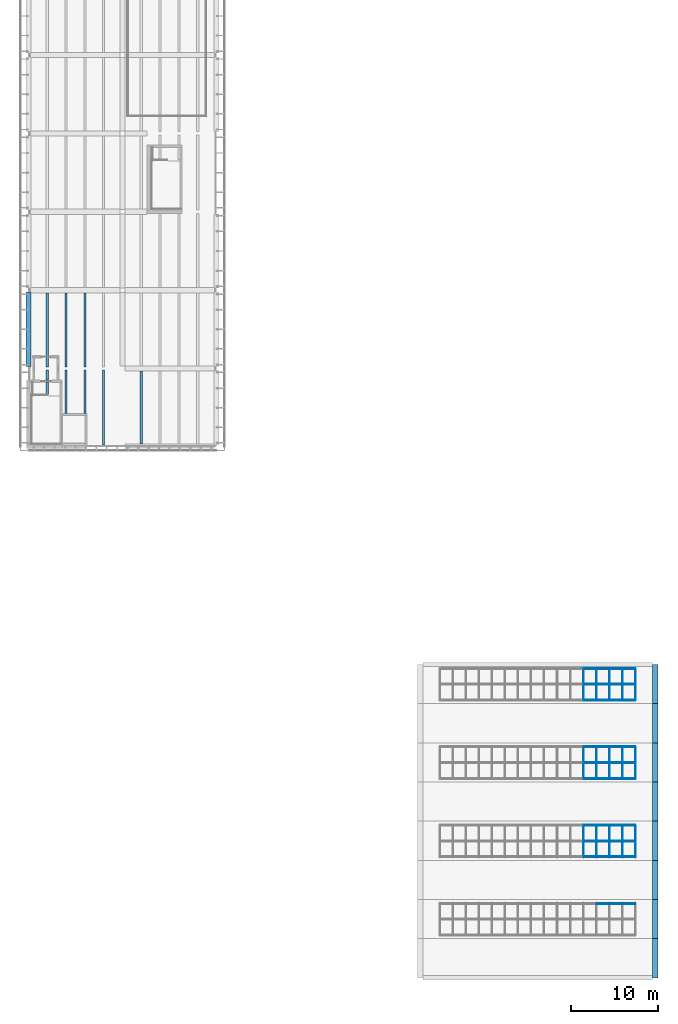
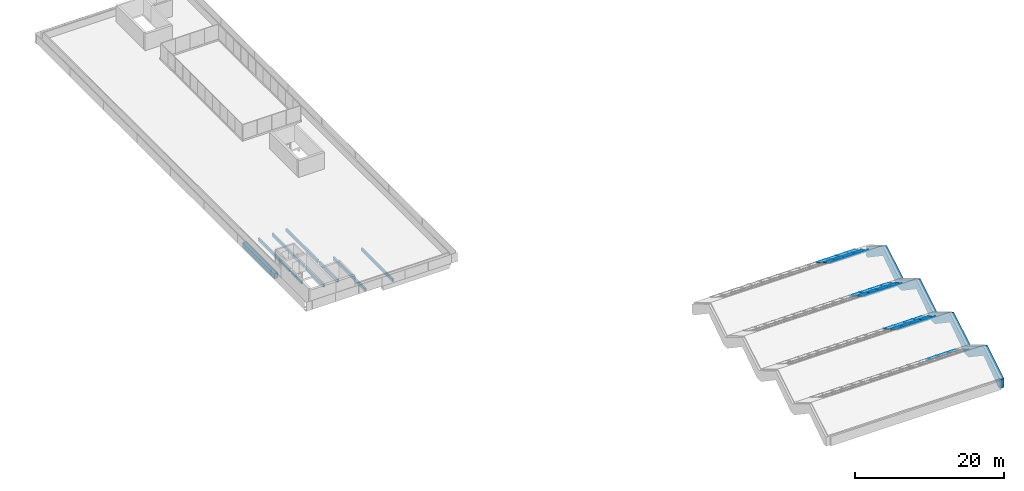
# One storey, part 5 of 29: 54 members, 11 beams, 4 elements without a shape of their own.
"""IFC4 building model written with IfcOpenShell, lengths in metres."""

from ifc_helpers import new_model, si_unit, direction, frame, origin, origin_2d, place, context, subcontext, project, spatial, polyline, rectangle, outline, extrude, material, material_profile, profile_set, type_object, element, aggregate, save


model = new_model("IFC4")

# Units and contexts
model_context = context("Model", 3, precision=1e-05, world=origin(), true_north=direction((0.0, 1.0)))
body_context = subcontext(model_context, "Body", "Model", "MODEL_VIEW")
ifc_project = project(units=[si_unit("LENGTHUNIT", "METRE"), si_unit("AREAUNIT", "SQUARE_METRE"), si_unit("VOLUMEUNIT", "CUBIC_METRE"), si_unit("PLANEANGLEUNIT", "RADIAN"), si_unit("MASSUNIT", "GRAM", prefix="KILO")], contexts=[model_context])

# Site, building, storey
site_placement = place(None, origin())
site = spatial("IfcSite", under=ifc_project, at=site_placement, CompositionType="ELEMENT")
building_placement = place(site_placement, origin())
building = spatial("IfcBuilding", under=site, at=building_placement, Name="Merrow Basin Faculty of Sciences", CompositionType="ELEMENT")
storey_placement = place(building_placement, frame((0.0, 0.0, 22.5)))
storey = spatial("IfcBuildingStorey", under=building, at=storey_placement, Name="L05", CompositionType="ELEMENT", Elevation=22.5)

# Curtain wall, members
ifc_material_1 = material(Name="Aluminium alloy 6063", Category="aluminium")
curtain_wall_type = type_object("IfcCurtainWallType", Name="Inclined curtain wall 160", PredefinedType="NOTDEFINED", material=ifc_material_1)
curtain_wall_1_placement = place(storey_placement, origin())
curtain_wall_1 = element("IfcCurtainWall", 1, at=curtain_wall_1_placement, inside=storey, type_object=curtain_wall_type, Name="North-light glazing 3", PredefinedType="NOTDEFINED")
ifc_material_2 = material(Name="Aluminium alloy 6063", Category="aluminium")
ifc_material_profile_1 = material_profile(ifc_material_2, rectangle(XDim=0.06005859375, YDim=0.159912109375, at=origin_2d()))
ifc_profile_set_1 = profile_set([ifc_material_profile_1], Name="Aluminium alloy 6063")
member_type_1 = type_object("IfcMemberType", Name="Aluminium slot mullion 60x160", PredefinedType="MULLION", material=ifc_profile_set_1)
member_1_placement = place(storey_placement, frame((63.75, 13.85888671875, 2.39111328125), z_axis=(0.0, 0.857482941352, -0.514512395662), x_axis=(-1.0, 0.0, 0.0)))
member_1 = element("IfcMember", 2, at=member_1_placement, type_object=member_type_1, Name="CW7 mullion 12", PredefinedType="MULLION", context=body_context, shape_type="SweptSolid", body=[
    extrude(rectangle(XDim=0.06005859375, YDim=0.159912109375, at=origin_2d()), origin(), (0.0, 0.0, 1.0), 4.315185546875),
])
member_2_placement = place(storey_placement, frame((65.25, 13.85888671875, 2.39111328125), z_axis=(0.0, 0.857482941352, -0.514512395662), x_axis=(-1.0, 0.0, 0.0)))
member_2 = element("IfcMember", 3, at=member_2_placement, type_object=member_type_1, Name="CW7 mullion 13", PredefinedType="MULLION", context=body_context, shape_type="SweptSolid", body=[
    extrude(rectangle(XDim=0.06005859375, YDim=0.159912109375, at=origin_2d()), origin(), (0.0, 0.0, 1.0), 4.315185546875),
])
member_3_placement = place(storey_placement, frame((66.75, 13.85888671875, 2.39111328125), z_axis=(0.0, 0.857482941352, -0.514512395662), x_axis=(-1.0, 0.0, 0.0)))
member_3 = element("IfcMember", 4, at=member_3_placement, type_object=member_type_1, Name="CW7 mullion 14", PredefinedType="MULLION", context=body_context, shape_type="SweptSolid", body=[
    extrude(rectangle(XDim=0.06005859375, YDim=0.159912109375, at=origin_2d()), origin(), (0.0, 0.0, 1.0), 4.315185546875),
])
member_4_placement = place(storey_placement, frame((68.25, 13.85888671875, 2.39111328125), z_axis=(0.0, 0.857482941352, -0.514512395662), x_axis=(-1.0, 0.0, 0.0)))
member_4 = element("IfcMember", 5, at=member_4_placement, type_object=member_type_1, Name="CW7 mullion 15", PredefinedType="MULLION", context=body_context, shape_type="SweptSolid", body=[
    extrude(rectangle(XDim=0.06005859375, YDim=0.159912109375, at=origin_2d()), origin(), (0.0, 0.0, 1.0), 4.315185546875),
])
member_5_placement = place(storey_placement, frame((69.719970703125, 13.85888671875, 2.39111328125), z_axis=(0.0, 0.857482941352, -0.514512395662), x_axis=(-1.0, 0.0, 0.0)))
member_5 = element("IfcMember", 6, at=member_5_placement, type_object=member_type_1, Name="CW7 mullion 16", PredefinedType="MULLION", context=body_context, shape_type="SweptSolid", body=[
    extrude(rectangle(XDim=0.06005859375, YDim=0.159912109375, at=origin_2d()), origin(), (0.0, 0.0, 1.0), 4.315185546875),
])

curtain_wall_2_placement = place(storey_placement, origin())
curtain_wall_2 = element("IfcCurtainWall", 7, at=curtain_wall_2_placement, inside=storey, type_object=curtain_wall_type, Name="North-light glazing 5", PredefinedType="NOTDEFINED")
member_6_placement = place(storey_placement, frame((63.75, 22.85888671875, 2.39111328125), z_axis=(0.0, 0.857482941352, -0.514512395662), x_axis=(-1.0, 0.0, 0.0)))
member_6 = element("IfcMember", 8, at=member_6_placement, type_object=member_type_1, Name="CW7 mullion 12", PredefinedType="MULLION", context=body_context, shape_type="SweptSolid", body=[
    extrude(rectangle(XDim=0.06005859375, YDim=0.159912109375, at=origin_2d()), origin(), (0.0, 0.0, 1.0), 4.315185546875),
])
member_7_placement = place(storey_placement, frame((65.25, 22.85888671875, 2.39111328125), z_axis=(0.0, 0.857482941352, -0.514512395662), x_axis=(-1.0, 0.0, 0.0)))
member_7 = element("IfcMember", 9, at=member_7_placement, type_object=member_type_1, Name="CW7 mullion 13", PredefinedType="MULLION", context=body_context, shape_type="SweptSolid", body=[
    extrude(rectangle(XDim=0.06005859375, YDim=0.159912109375, at=origin_2d()), origin(), (0.0, 0.0, 1.0), 4.315185546875),
])
member_8_placement = place(storey_placement, frame((66.75, 22.85888671875, 2.39111328125), z_axis=(0.0, 0.857482941352, -0.514512395662), x_axis=(-1.0, 0.0, 0.0)))
member_8 = element("IfcMember", 10, at=member_8_placement, type_object=member_type_1, Name="CW7 mullion 14", PredefinedType="MULLION", context=body_context, shape_type="SweptSolid", body=[
    extrude(rectangle(XDim=0.06005859375, YDim=0.159912109375, at=origin_2d()), origin(), (0.0, 0.0, 1.0), 4.315185546875),
])
member_9_placement = place(storey_placement, frame((68.25, 22.85888671875, 2.39111328125), z_axis=(0.0, 0.857482941352, -0.514512395662), x_axis=(-1.0, 0.0, 0.0)))
member_9 = element("IfcMember", 11, at=member_9_placement, type_object=member_type_1, Name="CW7 mullion 15", PredefinedType="MULLION", context=body_context, shape_type="SweptSolid", body=[
    extrude(rectangle(XDim=0.06005859375, YDim=0.159912109375, at=origin_2d()), origin(), (0.0, 0.0, 1.0), 4.315185546875),
])
member_10_placement = place(storey_placement, frame((69.719970703125, 22.85888671875, 2.39111328125), z_axis=(0.0, 0.857482941352, -0.514512395662), x_axis=(-1.0, 0.0, 0.0)))
member_10 = element("IfcMember", 12, at=member_10_placement, type_object=member_type_1, Name="CW7 mullion 16", PredefinedType="MULLION", context=body_context, shape_type="SweptSolid", body=[
    extrude(rectangle(XDim=0.06005859375, YDim=0.159912109375, at=origin_2d()), origin(), (0.0, 0.0, 1.0), 4.315185546875),
])

curtain_wall_3_placement = place(storey_placement, origin())
curtain_wall_3 = element("IfcCurtainWall", 13, at=curtain_wall_3_placement, inside=storey, type_object=curtain_wall_type, Name="North-light glazing 7", PredefinedType="NOTDEFINED")
member_11_placement = place(storey_placement, frame((63.75, 31.85888671875, 2.39111328125), z_axis=(0.0, 0.857482941352, -0.514512395662), x_axis=(-1.0, 0.0, 0.0)))
member_11 = element("IfcMember", 14, at=member_11_placement, type_object=member_type_1, Name="CW7 mullion 12", PredefinedType="MULLION", context=body_context, shape_type="SweptSolid", body=[
    extrude(rectangle(XDim=0.06005859375, YDim=0.159912109375, at=origin_2d()), origin(), (0.0, 0.0, 1.0), 4.315185546875),
])
member_12_placement = place(storey_placement, frame((65.25, 31.85888671875, 2.39111328125), z_axis=(0.0, 0.857482941352, -0.514512395662), x_axis=(-1.0, 0.0, 0.0)))
member_12 = element("IfcMember", 15, at=member_12_placement, type_object=member_type_1, Name="CW7 mullion 13", PredefinedType="MULLION", context=body_context, shape_type="SweptSolid", body=[
    extrude(rectangle(XDim=0.06005859375, YDim=0.159912109375, at=origin_2d()), origin(), (0.0, 0.0, 1.0), 4.315185546875),
])
member_13_placement = place(storey_placement, frame((66.75, 31.85888671875, 2.39111328125), z_axis=(0.0, 0.857482941352, -0.514512395662), x_axis=(-1.0, 0.0, 0.0)))
member_13 = element("IfcMember", 16, at=member_13_placement, type_object=member_type_1, Name="CW7 mullion 14", PredefinedType="MULLION", context=body_context, shape_type="SweptSolid", body=[
    extrude(rectangle(XDim=0.06005859375, YDim=0.159912109375, at=origin_2d()), origin(), (0.0, 0.0, 1.0), 4.315185546875),
])
member_14_placement = place(storey_placement, frame((68.25, 31.85888671875, 2.39111328125), z_axis=(0.0, 0.857482941352, -0.514512395662), x_axis=(-1.0, 0.0, 0.0)))
member_14 = element("IfcMember", 17, at=member_14_placement, type_object=member_type_1, Name="CW7 mullion 15", PredefinedType="MULLION", context=body_context, shape_type="SweptSolid", body=[
    extrude(rectangle(XDim=0.06005859375, YDim=0.159912109375, at=origin_2d()), origin(), (0.0, 0.0, 1.0), 4.315185546875),
])
member_15_placement = place(storey_placement, frame((69.719970703125, 31.85888671875, 2.39111328125), z_axis=(0.0, 0.857482941352, -0.514512395662), x_axis=(-1.0, 0.0, 0.0)))
member_15 = element("IfcMember", 18, at=member_15_placement, type_object=member_type_1, Name="CW7 mullion 16", PredefinedType="MULLION", context=body_context, shape_type="SweptSolid", body=[
    extrude(rectangle(XDim=0.06005859375, YDim=0.159912109375, at=origin_2d()), origin(), (0.0, 0.0, 1.0), 4.315185546875),
])

curtain_wall_4_placement = place(storey_placement, origin())
curtain_wall_4 = element("IfcCurtainWall", 19, at=curtain_wall_4_placement, inside=storey, type_object=curtain_wall_type, Name="North-light glazing 1", PredefinedType="NOTDEFINED")
ifc_material_3 = material(Name="Aluminium alloy 6063", Category="aluminium")
ifc_material_profile_2 = material_profile(ifc_material_3, rectangle(XDim=0.06005859375, YDim=0.1201171875, at=origin_2d()))
ifc_profile_set_2 = profile_set([ifc_material_profile_2], Name="Aluminium alloy 6063")
member_type_2 = type_object("IfcMemberType", Name="Aluminium slot transom 60x120", PredefinedType="USERDEFINED", material=ifc_profile_set_2)
member_16_placement = place(storey_placement, frame((65.280029296875, 8.532958984375, 0.18701171875), z_axis=(1.0, 0.0, 0.0), x_axis=(0.0, 0.857492925713, -0.514495755426)))
member_16 = element("IfcMember", 20, at=member_16_placement, type_object=member_type_2, Name="CW7 transom 13.3", ObjectType="TRANSOM", PredefinedType="USERDEFINED", context=body_context, shape_type="SweptSolid", body=[
    extrude(rectangle(XDim=0.06005859375, YDim=0.1201171875, at=origin_2d()), origin(), (0.0, 0.0, 1.0), 1.43994140625),
])
member_17_placement = place(storey_placement, frame((66.780029296875, 8.532958984375, 0.18701171875), z_axis=(1.0, 0.0, 0.0), x_axis=(0.0, 0.857492925713, -0.514495755426)))
member_17 = element("IfcMember", 21, at=member_17_placement, type_object=member_type_2, Name="CW7 transom 14.3", ObjectType="TRANSOM", PredefinedType="USERDEFINED", context=body_context, shape_type="SweptSolid", body=[
    extrude(rectangle(XDim=0.06005859375, YDim=0.1201171875, at=origin_2d()), origin(), (0.0, 0.0, 1.0), 1.43994140625),
])
member_18_placement = place(storey_placement, frame((68.280029296875, 8.532958984375, 0.18701171875), z_axis=(1.0, 0.0, 0.0), x_axis=(0.0, 0.857492925713, -0.514495755426)))
member_18 = element("IfcMember", 22, at=member_18_placement, type_object=member_type_2, Name="CW7 transom 15.3", ObjectType="TRANSOM", PredefinedType="USERDEFINED", context=body_context, shape_type="SweptSolid", body=[
    extrude(rectangle(XDim=0.06005859375, YDim=0.1201171875, at=origin_2d()), origin(), (0.0, 0.0, 1.0), 1.409912109375),
])
aggregate(curtain_wall_4, [member_16, member_17, member_18])

# Member
member_19_placement = place(storey_placement, frame((63.780029296875, 13.885009765625, 2.3759765625), z_axis=(1.0, 0.0, 0.0), x_axis=(0.0, 0.857492925713, -0.514495755426)))
member_19 = element("IfcMember", 23, at=member_19_placement, type_object=member_type_2, Name="CW7 transom 12.1", ObjectType="TRANSOM", PredefinedType="USERDEFINED", context=body_context, shape_type="SweptSolid", body=[
    extrude(rectangle(XDim=0.06005859375, YDim=0.1201171875, at=origin_2d()), origin(), (0.0, 0.0, 1.0), 1.43994140625),
])

member_20_placement = place(storey_placement, frame((63.780029296875, 15.708984375, 1.281005859375), z_axis=(1.0, 0.0, 0.0), x_axis=(0.0, 0.857492925713, -0.514495755426)))
member_20 = element("IfcMember", 24, at=member_20_placement, type_object=member_type_2, Name="CW7 transom 12.2", ObjectType="TRANSOM", PredefinedType="USERDEFINED", context=body_context, shape_type="SweptSolid", body=[
    extrude(rectangle(XDim=0.06005859375, YDim=0.1201171875, at=origin_2d()), origin(), (0.0, 0.0, 1.0), 1.43994140625),
])

member_21_placement = place(storey_placement, frame((63.780029296875, 17.532958984375, 0.18701171875), z_axis=(1.0, 0.0, 0.0), x_axis=(0.0, 0.857492925713, -0.514495755426)))
member_21 = element("IfcMember", 25, at=member_21_placement, type_object=member_type_2, Name="CW7 transom 12.3", ObjectType="TRANSOM", PredefinedType="USERDEFINED", context=body_context, shape_type="SweptSolid", body=[
    extrude(rectangle(XDim=0.06005859375, YDim=0.1201171875, at=origin_2d()), origin(), (0.0, 0.0, 1.0), 1.43994140625),
])

member_22_placement = place(storey_placement, frame((65.280029296875, 13.885009765625, 2.3759765625), z_axis=(1.0, 0.0, 0.0), x_axis=(0.0, 0.857492925713, -0.514495755426)))
member_22 = element("IfcMember", 26, at=member_22_placement, type_object=member_type_2, Name="CW7 transom 13.1", ObjectType="TRANSOM", PredefinedType="USERDEFINED", context=body_context, shape_type="SweptSolid", body=[
    extrude(rectangle(XDim=0.06005859375, YDim=0.1201171875, at=origin_2d()), origin(), (0.0, 0.0, 1.0), 1.43994140625),
])

member_23_placement = place(storey_placement, frame((65.280029296875, 15.708984375, 1.281005859375), z_axis=(1.0, 0.0, 0.0), x_axis=(0.0, 0.857492925713, -0.514495755426)))
member_23 = element("IfcMember", 27, at=member_23_placement, type_object=member_type_2, Name="CW7 transom 13.2", ObjectType="TRANSOM", PredefinedType="USERDEFINED", context=body_context, shape_type="SweptSolid", body=[
    extrude(rectangle(XDim=0.06005859375, YDim=0.1201171875, at=origin_2d()), origin(), (0.0, 0.0, 1.0), 1.43994140625),
])

member_24_placement = place(storey_placement, frame((65.280029296875, 17.532958984375, 0.18701171875), z_axis=(1.0, 0.0, 0.0), x_axis=(0.0, 0.857492925713, -0.514495755426)))
member_24 = element("IfcMember", 28, at=member_24_placement, type_object=member_type_2, Name="CW7 transom 13.3", ObjectType="TRANSOM", PredefinedType="USERDEFINED", context=body_context, shape_type="SweptSolid", body=[
    extrude(rectangle(XDim=0.06005859375, YDim=0.1201171875, at=origin_2d()), origin(), (0.0, 0.0, 1.0), 1.43994140625),
])

member_25_placement = place(storey_placement, frame((66.780029296875, 13.885009765625, 2.3759765625), z_axis=(1.0, 0.0, 0.0), x_axis=(0.0, 0.857492925713, -0.514495755426)))
member_25 = element("IfcMember", 29, at=member_25_placement, type_object=member_type_2, Name="CW7 transom 14.1", ObjectType="TRANSOM", PredefinedType="USERDEFINED", context=body_context, shape_type="SweptSolid", body=[
    extrude(rectangle(XDim=0.06005859375, YDim=0.1201171875, at=origin_2d()), origin(), (0.0, 0.0, 1.0), 1.43994140625),
])

member_26_placement = place(storey_placement, frame((66.780029296875, 15.708984375, 1.281005859375), z_axis=(1.0, 0.0, 0.0), x_axis=(0.0, 0.857492925713, -0.514495755426)))
member_26 = element("IfcMember", 30, at=member_26_placement, type_object=member_type_2, Name="CW7 transom 14.2", ObjectType="TRANSOM", PredefinedType="USERDEFINED", context=body_context, shape_type="SweptSolid", body=[
    extrude(rectangle(XDim=0.06005859375, YDim=0.1201171875, at=origin_2d()), origin(), (0.0, 0.0, 1.0), 1.43994140625),
])

member_27_placement = place(storey_placement, frame((66.780029296875, 17.532958984375, 0.18701171875), z_axis=(1.0, 0.0, 0.0), x_axis=(0.0, 0.857492925713, -0.514495755426)))
member_27 = element("IfcMember", 31, at=member_27_placement, type_object=member_type_2, Name="CW7 transom 14.3", ObjectType="TRANSOM", PredefinedType="USERDEFINED", context=body_context, shape_type="SweptSolid", body=[
    extrude(rectangle(XDim=0.06005859375, YDim=0.1201171875, at=origin_2d()), origin(), (0.0, 0.0, 1.0), 1.43994140625),
])

member_28_placement = place(storey_placement, frame((68.280029296875, 13.885009765625, 2.3759765625), z_axis=(1.0, 0.0, 0.0), x_axis=(0.0, 0.857492925713, -0.514495755426)))
member_28 = element("IfcMember", 32, at=member_28_placement, type_object=member_type_2, Name="CW7 transom 15.1", ObjectType="TRANSOM", PredefinedType="USERDEFINED", context=body_context, shape_type="SweptSolid", body=[
    extrude(rectangle(XDim=0.06005859375, YDim=0.1201171875, at=origin_2d()), origin(), (0.0, 0.0, 1.0), 1.409912109375),
])

member_29_placement = place(storey_placement, frame((68.280029296875, 15.708984375, 1.281005859375), z_axis=(1.0, 0.0, 0.0), x_axis=(0.0, 0.857492925713, -0.514495755426)))
member_29 = element("IfcMember", 33, at=member_29_placement, type_object=member_type_2, Name="CW7 transom 15.2", ObjectType="TRANSOM", PredefinedType="USERDEFINED", context=body_context, shape_type="SweptSolid", body=[
    extrude(rectangle(XDim=0.06005859375, YDim=0.1201171875, at=origin_2d()), origin(), (0.0, 0.0, 1.0), 1.409912109375),
])

member_30_placement = place(storey_placement, frame((68.280029296875, 17.532958984375, 0.18701171875), z_axis=(1.0, 0.0, 0.0), x_axis=(0.0, 0.857492925713, -0.514495755426)))
member_30 = element("IfcMember", 34, at=member_30_placement, type_object=member_type_2, Name="CW7 transom 15.3", ObjectType="TRANSOM", PredefinedType="USERDEFINED", context=body_context, shape_type="SweptSolid", body=[
    extrude(rectangle(XDim=0.06005859375, YDim=0.1201171875, at=origin_2d()), origin(), (0.0, 0.0, 1.0), 1.409912109375),
])

aggregate(curtain_wall_1, [member_1, member_2, member_3, member_4, member_5, member_19, member_20, member_21, member_22, member_23, member_24, member_25, member_26, member_27, member_28, member_29, member_30])

member_31_placement = place(storey_placement, frame((63.780029296875, 22.885009765625, 2.3759765625), z_axis=(1.0, 0.0, 0.0), x_axis=(0.0, 0.857492925713, -0.514495755426)))
member_31 = element("IfcMember", 35, at=member_31_placement, type_object=member_type_2, Name="CW7 transom 12.1", ObjectType="TRANSOM", PredefinedType="USERDEFINED", context=body_context, shape_type="SweptSolid", body=[
    extrude(rectangle(XDim=0.06005859375, YDim=0.1201171875, at=origin_2d()), origin(), (0.0, 0.0, 1.0), 1.43994140625),
])

member_32_placement = place(storey_placement, frame((63.780029296875, 24.708984375, 1.281005859375), z_axis=(1.0, 0.0, 0.0), x_axis=(0.0, 0.857492925713, -0.514495755426)))
member_32 = element("IfcMember", 36, at=member_32_placement, type_object=member_type_2, Name="CW7 transom 12.2", ObjectType="TRANSOM", PredefinedType="USERDEFINED", context=body_context, shape_type="SweptSolid", body=[
    extrude(rectangle(XDim=0.06005859375, YDim=0.1201171875, at=origin_2d()), origin(), (0.0, 0.0, 1.0), 1.43994140625),
])

member_33_placement = place(storey_placement, frame((63.780029296875, 26.532958984375, 0.18701171875), z_axis=(1.0, 0.0, 0.0), x_axis=(0.0, 0.857492925713, -0.514495755426)))
member_33 = element("IfcMember", 37, at=member_33_placement, type_object=member_type_2, Name="CW7 transom 12.3", ObjectType="TRANSOM", PredefinedType="USERDEFINED", context=body_context, shape_type="SweptSolid", body=[
    extrude(rectangle(XDim=0.06005859375, YDim=0.1201171875, at=origin_2d()), origin(), (0.0, 0.0, 1.0), 1.43994140625),
])

member_34_placement = place(storey_placement, frame((65.280029296875, 22.885009765625, 2.3759765625), z_axis=(1.0, 0.0, 0.0), x_axis=(0.0, 0.857492925713, -0.514495755426)))
member_34 = element("IfcMember", 38, at=member_34_placement, type_object=member_type_2, Name="CW7 transom 13.1", ObjectType="TRANSOM", PredefinedType="USERDEFINED", context=body_context, shape_type="SweptSolid", body=[
    extrude(rectangle(XDim=0.06005859375, YDim=0.1201171875, at=origin_2d()), origin(), (0.0, 0.0, 1.0), 1.43994140625),
])

member_35_placement = place(storey_placement, frame((65.280029296875, 24.708984375, 1.281005859375), z_axis=(1.0, 0.0, 0.0), x_axis=(0.0, 0.857492925713, -0.514495755426)))
member_35 = element("IfcMember", 39, at=member_35_placement, type_object=member_type_2, Name="CW7 transom 13.2", ObjectType="TRANSOM", PredefinedType="USERDEFINED", context=body_context, shape_type="SweptSolid", body=[
    extrude(rectangle(XDim=0.06005859375, YDim=0.1201171875, at=origin_2d()), origin(), (0.0, 0.0, 1.0), 1.43994140625),
])

member_36_placement = place(storey_placement, frame((65.280029296875, 26.532958984375, 0.18701171875), z_axis=(1.0, 0.0, 0.0), x_axis=(0.0, 0.857492925713, -0.514495755426)))
member_36 = element("IfcMember", 40, at=member_36_placement, type_object=member_type_2, Name="CW7 transom 13.3", ObjectType="TRANSOM", PredefinedType="USERDEFINED", context=body_context, shape_type="SweptSolid", body=[
    extrude(rectangle(XDim=0.06005859375, YDim=0.1201171875, at=origin_2d()), origin(), (0.0, 0.0, 1.0), 1.43994140625),
])

member_37_placement = place(storey_placement, frame((66.780029296875, 22.885009765625, 2.3759765625), z_axis=(1.0, 0.0, 0.0), x_axis=(0.0, 0.857492925713, -0.514495755426)))
member_37 = element("IfcMember", 41, at=member_37_placement, type_object=member_type_2, Name="CW7 transom 14.1", ObjectType="TRANSOM", PredefinedType="USERDEFINED", context=body_context, shape_type="SweptSolid", body=[
    extrude(rectangle(XDim=0.06005859375, YDim=0.1201171875, at=origin_2d()), origin(), (0.0, 0.0, 1.0), 1.43994140625),
])

member_38_placement = place(storey_placement, frame((66.780029296875, 24.708984375, 1.281005859375), z_axis=(1.0, 0.0, 0.0), x_axis=(0.0, 0.857492925713, -0.514495755426)))
member_38 = element("IfcMember", 42, at=member_38_placement, type_object=member_type_2, Name="CW7 transom 14.2", ObjectType="TRANSOM", PredefinedType="USERDEFINED", context=body_context, shape_type="SweptSolid", body=[
    extrude(rectangle(XDim=0.06005859375, YDim=0.1201171875, at=origin_2d()), origin(), (0.0, 0.0, 1.0), 1.43994140625),
])

member_39_placement = place(storey_placement, frame((66.780029296875, 26.532958984375, 0.18701171875), z_axis=(1.0, 0.0, 0.0), x_axis=(0.0, 0.857492925713, -0.514495755426)))
member_39 = element("IfcMember", 43, at=member_39_placement, type_object=member_type_2, Name="CW7 transom 14.3", ObjectType="TRANSOM", PredefinedType="USERDEFINED", context=body_context, shape_type="SweptSolid", body=[
    extrude(rectangle(XDim=0.06005859375, YDim=0.1201171875, at=origin_2d()), origin(), (0.0, 0.0, 1.0), 1.43994140625),
])

member_40_placement = place(storey_placement, frame((68.280029296875, 22.885009765625, 2.3759765625), z_axis=(1.0, 0.0, 0.0), x_axis=(0.0, 0.857492925713, -0.514495755426)))
member_40 = element("IfcMember", 44, at=member_40_placement, type_object=member_type_2, Name="CW7 transom 15.1", ObjectType="TRANSOM", PredefinedType="USERDEFINED", context=body_context, shape_type="SweptSolid", body=[
    extrude(rectangle(XDim=0.06005859375, YDim=0.1201171875, at=origin_2d()), origin(), (0.0, 0.0, 1.0), 1.409912109375),
])

member_41_placement = place(storey_placement, frame((68.280029296875, 24.708984375, 1.281005859375), z_axis=(1.0, 0.0, 0.0), x_axis=(0.0, 0.857492925713, -0.514495755426)))
member_41 = element("IfcMember", 45, at=member_41_placement, type_object=member_type_2, Name="CW7 transom 15.2", ObjectType="TRANSOM", PredefinedType="USERDEFINED", context=body_context, shape_type="SweptSolid", body=[
    extrude(rectangle(XDim=0.06005859375, YDim=0.1201171875, at=origin_2d()), origin(), (0.0, 0.0, 1.0), 1.409912109375),
])

member_42_placement = place(storey_placement, frame((68.280029296875, 26.532958984375, 0.18701171875), z_axis=(1.0, 0.0, 0.0), x_axis=(0.0, 0.857492925713, -0.514495755426)))
member_42 = element("IfcMember", 46, at=member_42_placement, type_object=member_type_2, Name="CW7 transom 15.3", ObjectType="TRANSOM", PredefinedType="USERDEFINED", context=body_context, shape_type="SweptSolid", body=[
    extrude(rectangle(XDim=0.06005859375, YDim=0.1201171875, at=origin_2d()), origin(), (0.0, 0.0, 1.0), 1.409912109375),
])

aggregate(curtain_wall_2, [member_6, member_7, member_8, member_9, member_10, member_31, member_32, member_33, member_34, member_35, member_36, member_37, member_38, member_39, member_40, member_41, member_42])

member_43_placement = place(storey_placement, frame((63.780029296875, 31.885009765625, 2.3759765625), z_axis=(1.0, 0.0, 0.0), x_axis=(0.0, 0.857492925713, -0.514495755426)))
member_43 = element("IfcMember", 47, at=member_43_placement, type_object=member_type_2, Name="CW7 transom 12.1", ObjectType="TRANSOM", PredefinedType="USERDEFINED", context=body_context, shape_type="SweptSolid", body=[
    extrude(rectangle(XDim=0.06005859375, YDim=0.1201171875, at=origin_2d()), origin(), (0.0, 0.0, 1.0), 1.43994140625),
])

member_44_placement = place(storey_placement, frame((63.780029296875, 33.708984375, 1.281005859375), z_axis=(1.0, 0.0, 0.0), x_axis=(0.0, 0.857492925713, -0.514495755426)))
member_44 = element("IfcMember", 48, at=member_44_placement, type_object=member_type_2, Name="CW7 transom 12.2", ObjectType="TRANSOM", PredefinedType="USERDEFINED", context=body_context, shape_type="SweptSolid", body=[
    extrude(rectangle(XDim=0.06005859375, YDim=0.1201171875, at=origin_2d()), origin(), (0.0, 0.0, 1.0), 1.43994140625),
])

member_45_placement = place(storey_placement, frame((63.780029296875, 35.532958984375, 0.18701171875), z_axis=(1.0, 0.0, 0.0), x_axis=(0.0, 0.857492925713, -0.514495755426)))
member_45 = element("IfcMember", 49, at=member_45_placement, type_object=member_type_2, Name="CW7 transom 12.3", ObjectType="TRANSOM", PredefinedType="USERDEFINED", context=body_context, shape_type="SweptSolid", body=[
    extrude(rectangle(XDim=0.06005859375, YDim=0.1201171875, at=origin_2d()), origin(), (0.0, 0.0, 1.0), 1.43994140625),
])

member_46_placement = place(storey_placement, frame((65.280029296875, 31.885009765625, 2.3759765625), z_axis=(1.0, 0.0, 0.0), x_axis=(0.0, 0.857492925713, -0.514495755426)))
member_46 = element("IfcMember", 50, at=member_46_placement, type_object=member_type_2, Name="CW7 transom 13.1", ObjectType="TRANSOM", PredefinedType="USERDEFINED", context=body_context, shape_type="SweptSolid", body=[
    extrude(rectangle(XDim=0.06005859375, YDim=0.1201171875, at=origin_2d()), origin(), (0.0, 0.0, 1.0), 1.43994140625),
])

member_47_placement = place(storey_placement, frame((65.280029296875, 33.708984375, 1.281005859375), z_axis=(1.0, 0.0, 0.0), x_axis=(0.0, 0.857492925713, -0.514495755426)))
member_47 = element("IfcMember", 51, at=member_47_placement, type_object=member_type_2, Name="CW7 transom 13.2", ObjectType="TRANSOM", PredefinedType="USERDEFINED", context=body_context, shape_type="SweptSolid", body=[
    extrude(rectangle(XDim=0.06005859375, YDim=0.1201171875, at=origin_2d()), origin(), (0.0, 0.0, 1.0), 1.43994140625),
])

member_48_placement = place(storey_placement, frame((65.280029296875, 35.532958984375, 0.18701171875), z_axis=(1.0, 0.0, 0.0), x_axis=(0.0, 0.857492925713, -0.514495755426)))
member_48 = element("IfcMember", 52, at=member_48_placement, type_object=member_type_2, Name="CW7 transom 13.3", ObjectType="TRANSOM", PredefinedType="USERDEFINED", context=body_context, shape_type="SweptSolid", body=[
    extrude(rectangle(XDim=0.06005859375, YDim=0.1201171875, at=origin_2d()), origin(), (0.0, 0.0, 1.0), 1.43994140625),
])

member_49_placement = place(storey_placement, frame((66.780029296875, 31.885009765625, 2.3759765625), z_axis=(1.0, 0.0, 0.0), x_axis=(0.0, 0.857492925713, -0.514495755426)))
member_49 = element("IfcMember", 53, at=member_49_placement, type_object=member_type_2, Name="CW7 transom 14.1", ObjectType="TRANSOM", PredefinedType="USERDEFINED", context=body_context, shape_type="SweptSolid", body=[
    extrude(rectangle(XDim=0.06005859375, YDim=0.1201171875, at=origin_2d()), origin(), (0.0, 0.0, 1.0), 1.43994140625),
])

member_50_placement = place(storey_placement, frame((66.780029296875, 33.708984375, 1.281005859375), z_axis=(1.0, 0.0, 0.0), x_axis=(0.0, 0.857492925713, -0.514495755426)))
member_50 = element("IfcMember", 54, at=member_50_placement, type_object=member_type_2, Name="CW7 transom 14.2", ObjectType="TRANSOM", PredefinedType="USERDEFINED", context=body_context, shape_type="SweptSolid", body=[
    extrude(rectangle(XDim=0.06005859375, YDim=0.1201171875, at=origin_2d()), origin(), (0.0, 0.0, 1.0), 1.43994140625),
])

member_51_placement = place(storey_placement, frame((66.780029296875, 35.532958984375, 0.18701171875), z_axis=(1.0, 0.0, 0.0), x_axis=(0.0, 0.857492925713, -0.514495755426)))
member_51 = element("IfcMember", 55, at=member_51_placement, type_object=member_type_2, Name="CW7 transom 14.3", ObjectType="TRANSOM", PredefinedType="USERDEFINED", context=body_context, shape_type="SweptSolid", body=[
    extrude(rectangle(XDim=0.06005859375, YDim=0.1201171875, at=origin_2d()), origin(), (0.0, 0.0, 1.0), 1.43994140625),
])

member_52_placement = place(storey_placement, frame((68.280029296875, 31.885009765625, 2.3759765625), z_axis=(1.0, 0.0, 0.0), x_axis=(0.0, 0.857492925713, -0.514495755426)))
member_52 = element("IfcMember", 56, at=member_52_placement, type_object=member_type_2, Name="CW7 transom 15.1", ObjectType="TRANSOM", PredefinedType="USERDEFINED", context=body_context, shape_type="SweptSolid", body=[
    extrude(rectangle(XDim=0.06005859375, YDim=0.1201171875, at=origin_2d()), origin(), (0.0, 0.0, 1.0), 1.409912109375),
])

member_53_placement = place(storey_placement, frame((68.280029296875, 33.708984375, 1.281005859375), z_axis=(1.0, 0.0, 0.0), x_axis=(0.0, 0.857492925713, -0.514495755426)))
member_53 = element("IfcMember", 57, at=member_53_placement, type_object=member_type_2, Name="CW7 transom 15.2", ObjectType="TRANSOM", PredefinedType="USERDEFINED", context=body_context, shape_type="SweptSolid", body=[
    extrude(rectangle(XDim=0.06005859375, YDim=0.1201171875, at=origin_2d()), origin(), (0.0, 0.0, 1.0), 1.409912109375),
])

member_54_placement = place(storey_placement, frame((68.280029296875, 35.532958984375, 0.18701171875), z_axis=(1.0, 0.0, 0.0), x_axis=(0.0, 0.857492925713, -0.514495755426)))
member_54 = element("IfcMember", 58, at=member_54_placement, type_object=member_type_2, Name="CW7 transom 15.3", ObjectType="TRANSOM", PredefinedType="USERDEFINED", context=body_context, shape_type="SweptSolid", body=[
    extrude(rectangle(XDim=0.06005859375, YDim=0.1201171875, at=origin_2d()), origin(), (0.0, 0.0, 1.0), 1.409912109375),
])

aggregate(curtain_wall_3, [member_11, member_12, member_13, member_14, member_15, member_43, member_44, member_45, member_46, member_47, member_48, member_49, member_50, member_51, member_52, member_53, member_54])

# Beams
ifc_material_4 = material(Name="Concrete C40/50", Category="concrete")
ifc_material_profile_3 = material_profile(ifc_material_4, rectangle(XDim=0.60009765625, YDim=0.800048828125, at=origin_2d()))
ifc_profile_set_3 = profile_set([ifc_material_profile_3], Name="Concrete C40/50")
beam_type_1 = type_object("IfcBeamType", Name="Beam RC600x800 C40/50", PredefinedType="BEAM", material=ifc_profile_set_3)
beam_1_placement = place(storey_placement, frame((0.0, 70.22509765625, -0.64990234375), z_axis=(0.0, 1.0, 0.0), x_axis=(-1.0, 0.0, 0.0)))
element("IfcBeam", 59, at=beam_1_placement, inside=storey, type_object=beam_type_1, Name="B2 L05 015", PredefinedType="BEAM", context=body_context, shape_type="SweptSolid", body=[
    extrude(rectangle(XDim=0.60009765625, YDim=0.800048828125, at=origin_2d()), origin(), (0.0, 0.0, 1.0), 8.5498046875),
])
ifc_material_5 = material(Name="Concrete C50/60", Category="concrete")
beam_type_2 = type_object("IfcBeamType", Name="Fold frame beam 600 Concrete C50/60", PredefinedType="BEAM", material=ifc_material_5)
beam_2_placement = place(storey_placement, frame((71.699951171875, 0.0, -22.5), z_axis=(1.0, 0.0, 0.0), x_axis=(0.0, 1.0, 0.0)))
element("IfcBeam", 60, at=beam_2_placement, inside=storey, type_object=beam_type_2, Name="Fold frame J", PredefinedType="BEAM", context=body_context, shape_type="SweptSolid", body=[
    extrude(outline(polyline([(0.0, 22.31298828125), (4.5, 25.012939453125), (9.0, 22.31298828125), (13.5, 25.012939453125), (18.0, 22.31298828125), (22.5, 25.012939453125), (27.0, 22.31298828125), (31.5, 25.012939453125), (36.0, 22.31298828125), (36.0, 20.81298828125), (35.5, 20.81298828125), (31.5, 23.512939453125), (27.5, 20.81298828125), (26.5, 20.81298828125), (22.5, 23.512939453125), (18.5, 20.81298828125), (17.5, 20.81298828125), (13.5, 23.512939453125), (9.5, 20.81298828125), (8.5, 20.81298828125), (4.5, 23.512939453125), (0.5, 20.81298828125), (0.0, 20.81298828125), (0.0, 22.31298828125)])), origin(), (0.0, 0.0, 1.0), 0.60009765625),
])
ifc_material_6 = material(Name="Concrete C40/50", Category="concrete")
ifc_material_profile_4 = material_profile(ifc_material_6, rectangle(XDim=0.25, YDim=0.5, at=origin_2d()))
ifc_profile_set_4 = profile_set([ifc_material_profile_4], Name="Concrete C40/50")
beam_type_3 = type_object("IfcBeamType", Name="Roof joist RC250x500 C40/50", PredefinedType="BEAM", material=ifc_profile_set_4)
beam_3_placement = place(storey_placement, frame((2.159912109375, 67.0, -0.5), z_axis=(0.0, 1.0, 0.0), x_axis=(-1.0, 0.0, 0.0)))
element("IfcBeam", 61, at=beam_3_placement, inside=storey, type_object=beam_type_3, Name="JR1 L05 034", PredefinedType="BEAM", context=body_context, shape_type="SweptSolid", body=[
    extrude(rectangle(XDim=0.25, YDim=0.5, at=origin_2d()), origin(), (0.0, 0.0, 1.0), 1.39990234375),
])
beam_4_placement = place(storey_placement, frame((2.159912109375, 68.64990234375, -0.5), z_axis=(0.0, 1.0, 0.0), x_axis=(-1.0, 0.0, 0.0)))
element("IfcBeam", 62, at=beam_4_placement, inside=storey, type_object=beam_type_3, Name="JR1 L05 035", PredefinedType="BEAM", context=body_context, shape_type="SweptSolid", body=[
    extrude(rectangle(XDim=0.25, YDim=0.5, at=origin_2d()), origin(), (0.0, 0.0, 1.0), 1.150146484375),
])
for number, where, z_axis, x_axis, name in (
    (63, (4.320068359375, 64.85009765625, -0.5), (0.0, 1.0, 0.0), (-1.0, 0.0, 0.0), "JR1 L05 036"),
    (64, (6.47998046875, 64.85009765625, -0.5), (0.0, 1.0, 0.0), (-1.0, 0.0, 0.0), "JR1 L05 037"),
):
    element("IfcBeam", number, at=place(storey_placement, frame(where, z_axis=z_axis, x_axis=x_axis)), inside=storey, type_object=beam_type_3, Name=name, PredefinedType="BEAM", context=body_context, shape_type="SweptSolid", body=[
        extrude(rectangle(XDim=0.25, YDim=0.5, at=origin_2d()), origin(), (0.0, 0.0, 1.0), 4.949951171875),
    ])
beam_5_placement = place(storey_placement, frame((8.639892578125, 61.199951171875, -0.5), z_axis=(0.0, 1.0, 0.0), x_axis=(-1.0, 0.0, 0.0)))
element("IfcBeam", 65, at=beam_5_placement, inside=storey, type_object=beam_type_3, Name="JR1 L05 038", PredefinedType="BEAM", context=body_context, shape_type="SweptSolid", body=[
    extrude(rectangle(XDim=0.25, YDim=0.5, at=origin_2d()), origin(), (0.0, 0.0, 1.0), 8.60009765625),
])
for number, where, z_axis, x_axis, name in (
    (66, (2.159912109375, 70.199951171875, -0.5), (0.0, 1.0, 0.0), (-1.0, 0.0, 0.0), "JR1 L05 039"),
    (67, (4.320068359375, 70.199951171875, -0.5), (0.0, 1.0, 0.0), (-1.0, 0.0, 0.0), "JR1 L05 040"),
    (68, (6.47998046875, 70.199951171875, -0.5), (0.0, 1.0, 0.0), (-1.0, 0.0, 0.0), "JR1 L05 041"),
):
    element("IfcBeam", number, at=place(storey_placement, frame(where, z_axis=z_axis, x_axis=x_axis)), inside=storey, type_object=beam_type_3, Name=name, PredefinedType="BEAM", context=body_context, shape_type="SweptSolid", body=[
        extrude(rectangle(XDim=0.25, YDim=0.5, at=origin_2d()), origin(), (0.0, 0.0, 1.0), 8.5),
    ])
beam_6_placement = place(storey_placement, frame((12.9599609375, 61.300048828125, -0.5), z_axis=(0.0, 1.0, 0.0), x_axis=(-1.0, 0.0, 0.0)))
element("IfcBeam", 69, at=beam_6_placement, inside=storey, type_object=beam_type_3, Name="JR1 L05 067", PredefinedType="BEAM", context=body_context, shape_type="SweptSolid", body=[
    extrude(rectangle(XDim=0.25, YDim=0.5, at=origin_2d()), origin(), (0.0, 0.0, 1.0), 8.39990234375),
])

save(model, "model.ifc")
